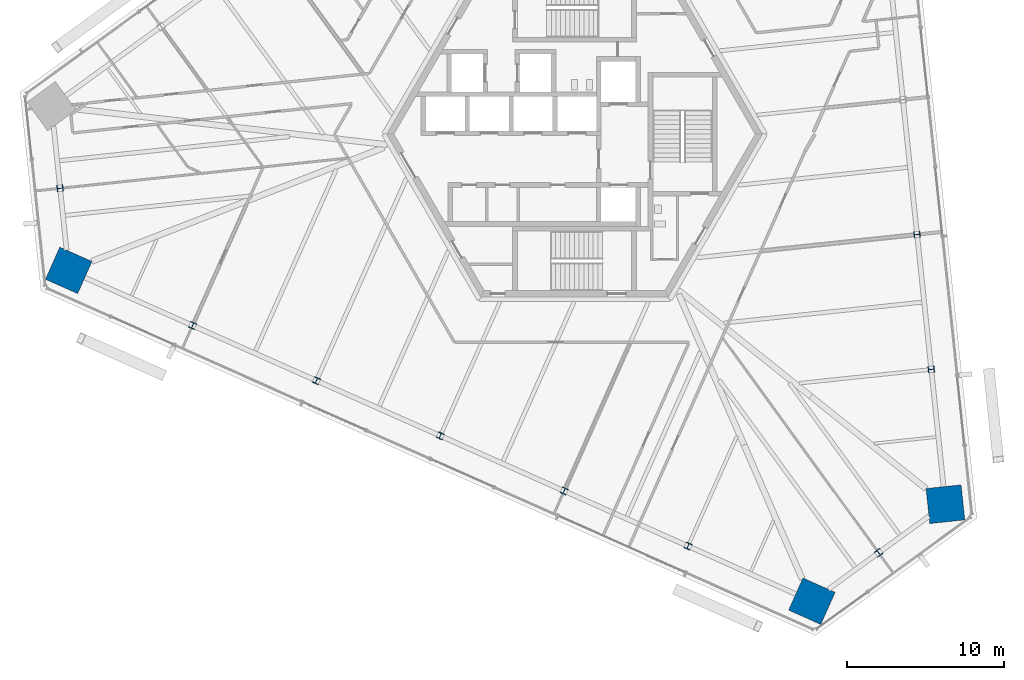
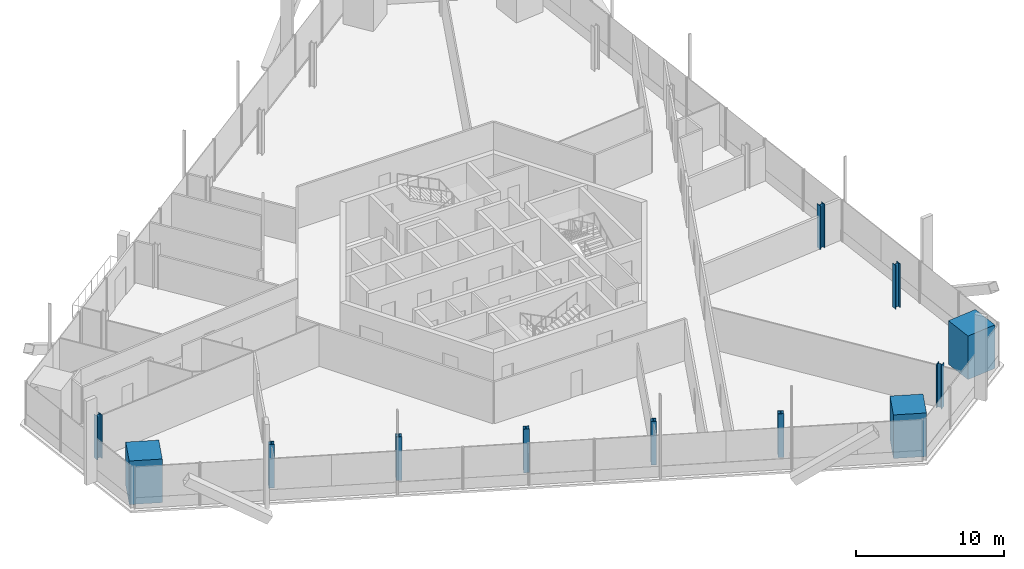
# One storey, part 1 of 21: 12 columns.
"""IFC4 building model written with IfcOpenShell, lengths in metres."""

import ifcopenshell
import ifcopenshell.guid

model = None  # the IFC model being written
_history = None  # IfcOwnerHistory: only IFC2X3 demands one
_inside = {}  # id of a spatial element -> (the spatial element, [elements in it])
_under = {}  # id of a project, library or spatial element -> (it, [spatial elements below it])
_declared = {}  # id of a project -> (the project, [libraries it declares])
_typed = {}  # id of a type object -> (the type object, [elements of that type])
_made_of = {}  # id of a material, layer set ... -> (it, [elements and type objects made of it])


def new_model(schema):
    """Start an empty IFC model of exactly this schema.

    Asked for "IFC4X3", IfcOpenShell would pick the latest addendum, in which some entities
    have other attributes; the version numbers below select the first issue.
    IFC2X3 requires an IfcOwnerHistory on every rooted entity: one is made here for all.
    """
    global model, _history
    if schema == "IFC4X3":
        model = ifcopenshell.file(schema_version=(4, 3, 0, 0))
    else:
        model = ifcopenshell.file(schema=schema)
    _inside.clear()
    _under.clear()
    _declared.clear()
    _typed.clear()
    _made_of.clear()
    _history = None
    if model.schema == "IFC2X3":
        org = make("IfcOrganization", Name="unknown")
        user = make(
            "IfcPersonAndOrganization",
            ThePerson=make("IfcPerson", FamilyName="unknown"),
            TheOrganization=org,
        )
        app = make(
            "IfcApplication",
            ApplicationDeveloper=org,
            Version="unknown",
            ApplicationFullName="unknown",
            ApplicationIdentifier="unknown",
        )
        _history = make(
            "IfcOwnerHistory",
            OwningUser=user,
            OwningApplication=app,
            ChangeAction="ADDED",
            CreationDate=0,
        )
    return model


def make(cls, **values):
    """One entity of the class cls with the attributes given. An attribute that is None is left unset."""
    return model.create_entity(
        cls, **{name: value for name, value in values.items() if value is not None}
    )


def rooted(cls, **values):
    """An entity with a GlobalId (a new one), such as an element, a storey or a relation."""
    return make(cls, GlobalId=ifcopenshell.guid.new(), OwnerHistory=_history, **values)


def si_unit(unit_type, name, prefix=None):
    """IfcSIUnit, for example si_unit("LENGTHUNIT", "METRE", prefix="MILLI")."""
    return make("IfcSIUnit", UnitType=unit_type, Prefix=prefix, Name=name)


def assignment(units):
    """IfcUnitAssignment: the units of a project."""
    return None if units is None else make("IfcUnitAssignment", Units=units)


def point(xyz):
    """IfcCartesianPoint."""
    return None if xyz is None else make("IfcCartesianPoint", Coordinates=xyz)


def direction(xyz):
    """IfcDirection."""
    return None if xyz is None else make("IfcDirection", DirectionRatios=xyz)


def frame(location, z_axis=None, x_axis=None):
    """IfcAxis2Placement3D, a coordinate frame: its origin and axes. An axis left out is left unset."""
    return make(
        "IfcAxis2Placement3D",
        Location=point(location),
        Axis=direction(z_axis),
        RefDirection=direction(x_axis),
    )


def frame_2d(location, x_axis=None):
    """IfcAxis2Placement2D, a coordinate frame in the plane: its origin and x axis."""
    return make(
        "IfcAxis2Placement2D", Location=point(location), RefDirection=direction(x_axis)
    )


def origin():
    """The frame at (0, 0, 0) with its axes left unset."""
    return frame((0.0, 0.0, 0.0))


def origin_2d():
    """The frame at (0, 0) in the plane with its x axis left unset."""
    return frame_2d((0.0, 0.0))


def place(relative_to, where):
    """IfcLocalPlacement: puts the frame where relative to a parent placement (None: the world)."""
    return make(
        "IfcLocalPlacement", PlacementRelTo=relative_to, RelativePlacement=where
    )


def context(
    kind, dimensions, precision=None, world=None, true_north=None, identifier=None
):
    """IfcGeometricRepresentationContext, for example the 3D "Model" context."""
    return make(
        "IfcGeometricRepresentationContext",
        ContextIdentifier=identifier,
        ContextType=kind,
        CoordinateSpaceDimension=dimensions,
        Precision=precision,
        WorldCoordinateSystem=world,
        TrueNorth=true_north,
    )


def subcontext(parent, identifier, kind, view, scale=None):
    """IfcGeometricRepresentationSubContext, for example "Body" below "Model"."""
    return make(
        "IfcGeometricRepresentationSubContext",
        ContextIdentifier=identifier,
        ContextType=kind,
        ParentContext=parent,
        TargetScale=scale,
        TargetView=view,
    )


def project(units=None, contexts=None):
    """IfcProject with its units and contexts."""
    return rooted(
        "IfcProject",
        Name="project",
        RepresentationContexts=contexts,
        UnitsInContext=assignment(units),
    )


def spatial(cls, under=None, at=None, **own):
    """A site, building, storey or space (cls), placed at a placement, below another one or the project."""
    s = rooted(cls, ObjectPlacement=at, **own)
    if under is not None:
        _under.setdefault(under.id(), (under, []))[1].append(s)
    return s


def profile(cls, at=None, kind="AREA", **sizes):
    """A parametric profile (cls). Its sizes go by their IFC names, for example OverallWidth=200.0."""
    return make(cls, ProfileType=kind, Position=at, **sizes)


def rectangle(**sizes):
    """IfcRectangleProfileDef."""
    return profile("IfcRectangleProfileDef", **sizes)


def i_section(**sizes):
    """IfcIShapeProfileDef."""
    return profile("IfcIShapeProfileDef", **sizes)


def extrude(swept, where, along, depth):
    """IfcExtrudedAreaSolid: the profile swept, set in the frame where, extruded along a direction by depth."""
    return make(
        "IfcExtrudedAreaSolid",
        SweptArea=swept,
        Position=where,
        ExtrudedDirection=direction(along),
        Depth=depth,
    )


def shape(context_of_items, identifier, shape_type, items):
    """IfcShapeRepresentation: the items that make up one representation, for example the "Body"."""
    return make(
        "IfcShapeRepresentation",
        ContextOfItems=context_of_items,
        RepresentationIdentifier=identifier,
        RepresentationType=shape_type,
        Items=items,
    )


def source(mapping_origin, context_of_items, identifier, shape_type, items):
    """IfcRepresentationMap: a shape defined once, which mapped items show again and again."""
    return make(
        "IfcRepresentationMap",
        MappingOrigin=mapping_origin,
        MappedRepresentation=shape(context_of_items, identifier, shape_type, items),
    )


def transform(
    local_origin,
    x_axis=None,
    y_axis=None,
    z_axis=None,
    scale=None,
    scale2=None,
    scale3=None,
    uniform=True,
):
    """IfcCartesianTransformationOperator3D, or its non-uniform kind. x_axis, y_axis, z_axis: its Axis1, 2, 3."""
    if uniform:
        return make(
            "IfcCartesianTransformationOperator3D",
            Axis1=direction(x_axis),
            Axis2=direction(y_axis),
            LocalOrigin=point(local_origin),
            Scale=scale,
            Axis3=direction(z_axis),
        )
    return make(
        "IfcCartesianTransformationOperator3DnonUniform",
        Axis1=direction(x_axis),
        Axis2=direction(y_axis),
        LocalOrigin=point(local_origin),
        Scale=scale,
        Axis3=direction(z_axis),
        Scale2=scale2,
        Scale3=scale3,
    )


def mapped(mapping_source, mapping_target):
    """IfcMappedItem: shows the shape of a source again, moved by a transform."""
    return make(
        "IfcMappedItem", MappingSource=mapping_source, MappingTarget=mapping_target
    )


def material(Name=None, Category=None):
    """IfcMaterial."""
    return make("IfcMaterial", Name=Name, Category=Category)


def material_profile(
    of_material, cross_section, Name=None, Category=None, Priority=None
):
    """IfcMaterialProfile: a cross section and its material."""
    return make(
        "IfcMaterialProfile",
        Name=Name,
        Material=of_material,
        Profile=cross_section,
        Priority=Priority,
        Category=Category,
    )


def profile_set(profiles, Name=None, composite=None):
    """IfcMaterialProfileSet."""
    return make(
        "IfcMaterialProfileSet",
        Name=Name,
        MaterialProfiles=profiles,
        CompositeProfile=composite,
    )


def made_of(thing, what):
    """Note that an element or type object is made of a material, layer set ...; save() writes the relation."""
    if what is not None:
        _made_of.setdefault(what.id(), (what, []))[1].append(thing)
    return thing


def type_object(cls, material=None, **own):
    """A type object (cls), such as IfcWallType, which elements share."""
    return made_of(rooted(cls, **own), material)


def element(
    cls,
    number,
    at=None,
    inside=None,
    cuts=None,
    type_object=None,
    material=None,
    context=None,
    identifier="Body",
    shape_type=None,
    held_by="IfcProductDefinitionShape",
    body=None,
    shapes=None,
    **own,
):
    """One element of the class cls, such as IfcWall. Its Tag is "e" and its number.

    at: its placement. inside: the storey or other place that contains it. cuts: it is an
    opening in that element (IfcRelVoidsElement). A single representation is given by context,
    identifier, shape_type and body (its items); several are given by shapes. held_by: the class
    of the entity that holds the representations. save() writes the other relations.
    """
    e = rooted(cls, Tag="e%d" % number, ObjectPlacement=at, **own)
    if body is not None:
        shapes = [shape(context, identifier, shape_type, body)]
    if shapes is not None:
        e.Representation = make(held_by, Representations=shapes)
    if inside is not None:
        _inside.setdefault(inside.id(), (inside, []))[1].append(e)
    if cuts is not None:
        rooted(
            "IfcRelVoidsElement", RelatingBuildingElement=cuts, RelatedOpeningElement=e
        )
    if type_object is not None:
        _typed.setdefault(type_object.id(), (type_object, []))[1].append(e)
    return made_of(e, material)


def aggregate(whole, parts):
    """IfcRelAggregates: a whole, such as a stair, and the parts it consists of."""
    return rooted("IfcRelAggregates", RelatingObject=whole, RelatedObjects=parts)


def save(model, path):
    """Write the relations noted so far, then the file.

    IfcRelAggregates (storeys below a building ...), IfcRelContainedInSpatialStructure (elements
    in a storey), IfcRelDefinesByType, IfcRelAssociatesMaterial and IfcRelDeclares: one each for
    every whole, place, type object, material and project.
    """
    for whole, parts in _under.values():
        aggregate(whole, parts)
    for where, things in _inside.values():
        rooted(
            "IfcRelContainedInSpatialStructure",
            RelatedElements=things,
            RelatingStructure=where,
        )
    for kind, things in _typed.values():
        rooted("IfcRelDefinesByType", RelatedObjects=things, RelatingType=kind)
    for what, things in _made_of.values():
        rooted("IfcRelAssociatesMaterial", RelatedObjects=things, RelatingMaterial=what)
    for by, libraries in _declared.values():
        rooted("IfcRelDeclares", RelatingContext=by, RelatedDefinitions=libraries)
    model.write(path)


model = new_model("IFC4")

# Units and contexts
model_context = context("Model", 3, precision=1e-05, world=origin(), true_north=direction((0.0, 1.0)))
body_context = subcontext(model_context, "Body", "Model", "MODEL_VIEW")
ifc_project = project(units=[si_unit("LENGTHUNIT", "METRE"), si_unit("AREAUNIT", "SQUARE_METRE"), si_unit("VOLUMEUNIT", "CUBIC_METRE"), si_unit("PLANEANGLEUNIT", "RADIAN"), si_unit("MASSUNIT", "GRAM", prefix="KILO")], contexts=[model_context])

# Site, building, storey
site_placement = place(None, origin())
site = spatial("IfcSite", under=ifc_project, at=site_placement, CompositionType="ELEMENT")
building_placement = place(site_placement, origin())
building = spatial("IfcBuilding", under=site, at=building_placement, Name="Triune Harvest Tower", CompositionType="ELEMENT")
storey_placement = place(building_placement, frame((0.0, 0.0, 87.300048828125)))
storey = spatial("IfcBuildingStorey", under=building, at=storey_placement, Name="L21", CompositionType="ELEMENT", Elevation=87.300048828125)

# Columns
ifc_material_1 = material(Name="Concrete 70 MPa", Category="concrete")
ifc_material_profile_1 = material_profile(ifc_material_1, rectangle(XDim=2.25, YDim=2.25, at=origin_2d()), Name="Composite 2250x2250")
ifc_profile_set_1 = profile_set([ifc_material_profile_1], Name="Concrete 70 MPa")
column_type_1 = type_object("IfcColumnType", Name="MC-2 Mega column Composite 2250x2250", PredefinedType="COLUMN", material=ifc_profile_set_1)
shared_shape_1 = source(origin(), body_context, "Body", "SweptSolid", [
    extrude(rectangle(XDim=2.25, YDim=2.25, at=origin_2d()), origin(), (0.0, 0.0, 1.0), 3.599853515625),
])
for number, where, z_axis, x_axis, name in (
    (1, (23.693359375, -23.6396484375, 0.0), (0.0, 0.0, 1.0), (-0.104526727499, 0.994522077803, 0.0), "col/L21/M0"),
    (2, (-32.319091796875, -8.69921875, 0.0), (0.0, 0.0, 1.0), (0.913545457643, -0.406736643076, 0.0), "col/L21/M16"),
    (3, (15.160888671875, -29.8388671875, 0.0), (0.0, 0.0, 1.0), (0.913545457643, -0.406736643076, 0.0), "col/L21/M22"),
):
    element("IfcColumn", number, at=place(storey_placement, frame(where, z_axis=z_axis, x_axis=x_axis)), inside=storey, type_object=column_type_1, Name=name, PredefinedType="COLUMN", context=body_context, shape_type="MappedRepresentation", body=[
        mapped(shared_shape_1, transform((0.0, 0.0, 0.0), scale=1.0)),
    ])
ifc_material_2 = material(Name="Steel ASTM A992 Gr 50", Category="steel")
ifc_material_profile_2 = material_profile(ifc_material_2, i_section(OverallWidth=0.398681640625, OverallDepth=0.393798828125, WebThickness=0.022705078125, FlangeThickness=0.03662109375, at=origin_2d()), Name="W14x193")
ifc_profile_set_2 = profile_set([ifc_material_profile_2], Name="Steel ASTM A992 Gr 50")
column_type_2 = type_object("IfcColumnType", Name="PC-2 Perimeter column W14x193", PredefinedType="COLUMN", material=ifc_profile_set_2)
shared_shape_2 = source(origin(), body_context, "Body", "SweptSolid", [
    extrude(i_section(OverallWidth=0.398681640625, OverallDepth=0.393798828125, WebThickness=0.022705078125, FlangeThickness=0.03662109375, at=origin_2d()), origin(), (0.0, 0.0, 1.0), 3.599853515625),
])
for number, where, z_axis, x_axis, name in (
    (4, (22.787841796875, -15.02490234375, 0.0), (0.0, 0.0, 1.0), (-0.104526727499, 0.994522077803, 0.0), "col/L21/P1"),
    (5, (21.88232421875, -6.409912109375, 0.0), (0.0, 0.0, 1.0), (-0.104526727499, 0.994522077803, 0.0), "col/L21/P2"),
    (6, (-32.870361328125, -3.454833984375, 0.0), (0.0, 0.0, 1.0), (0.104528463268, -0.994521895368, 0.0), "col/L21/P15"),
    (7, (-24.40576171875, -12.222412109375, 0.0), (0.0, 0.0, 1.0), (0.913545457643, -0.406736643076, 0.0), "col/L21/P17"),
    (8, (-16.492431640625, -15.745849609375, 0.0), (0.0, 0.0, 1.0), (0.913545457643, -0.406736643076, 0.0), "col/L21/P18"),
    (9, (-8.5791015625, -19.26904296875, 0.0), (0.0, 0.0, 1.0), (0.913545457643, -0.406736643076, 0.0), "col/L21/P19"),
    (10, (-0.665771484375, -22.792236328125, 0.0), (0.0, 0.0, 1.0), (0.913545457643, -0.406736643076, 0.0), "col/L21/P20"),
    (11, (7.24755859375, -26.3154296875, 0.0), (0.0, 0.0, 1.0), (0.913545457643, -0.406736643076, 0.0), "col/L21/P21"),
    (12, (19.427001953125, -26.7392578125, 0.0), (0.0, 0.0, 1.0), (0.809014942612, 0.587788076291, 0.0), "col/L21/P23"),
):
    element("IfcColumn", number, at=place(storey_placement, frame(where, z_axis=z_axis, x_axis=x_axis)), inside=storey, type_object=column_type_2, Name=name, PredefinedType="COLUMN", context=body_context, shape_type="MappedRepresentation", body=[
        mapped(shared_shape_2, transform((0.0, 0.0, 0.0), scale=1.0)),
    ])

save(model, "model.ifc")
